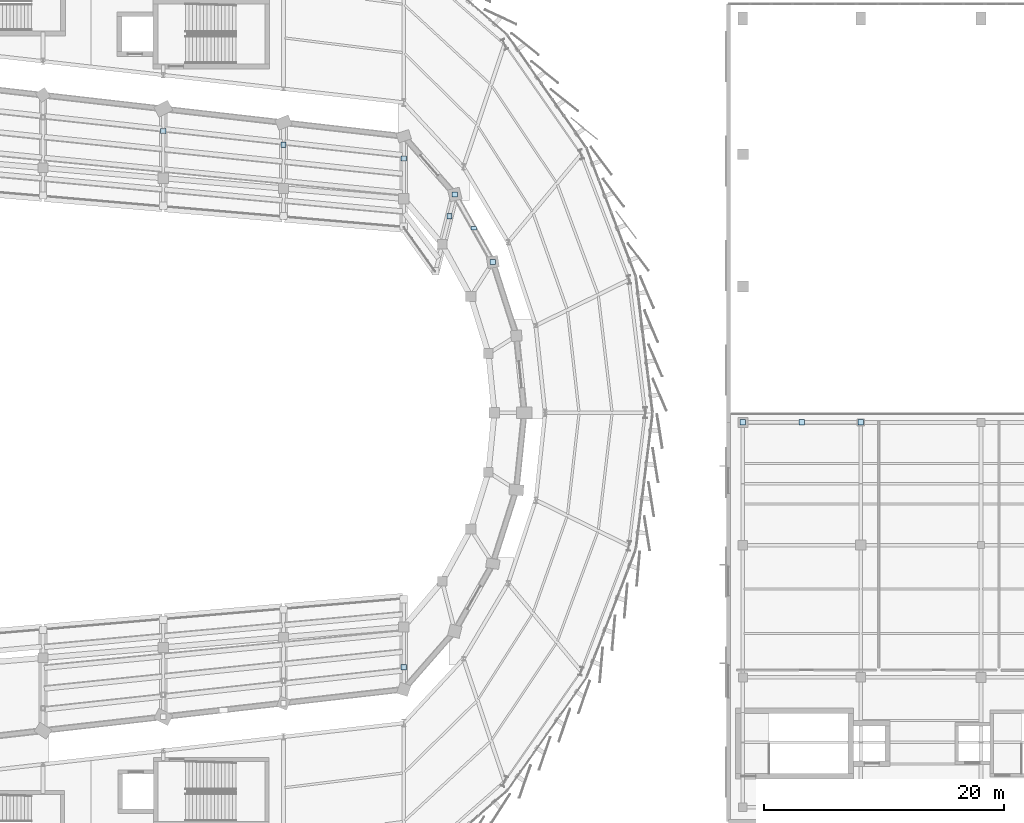
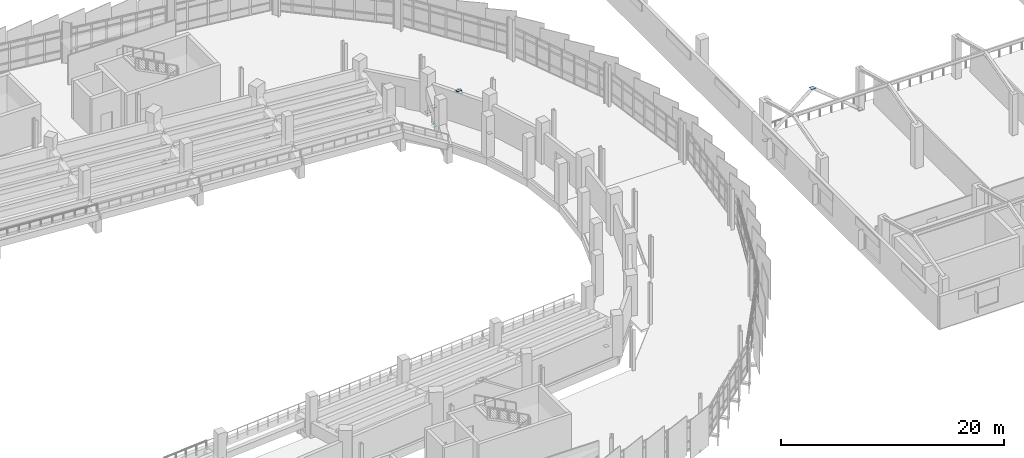
# One storey, part 96 of 120: 16 plates.
"""IFC4 building model written with IfcOpenShell, lengths in metres."""

from ifc_helpers import new_model, si_unit, direction, frame, origin, origin_2d, place, context, subcontext, project, spatial, rectangle, extrude, material, layer, layer_set, type_object, element, save


model = new_model("IFC4")

# Units and contexts
model_context = context("Model", 3, precision=1e-05, world=origin(), true_north=direction((0.0, 1.0)))
body_context = subcontext(model_context, "Body", "Model", "MODEL_VIEW")
ifc_project = project(units=[si_unit("LENGTHUNIT", "METRE"), si_unit("AREAUNIT", "SQUARE_METRE"), si_unit("VOLUMEUNIT", "CUBIC_METRE"), si_unit("PLANEANGLEUNIT", "RADIAN"), si_unit("MASSUNIT", "GRAM", prefix="KILO")], contexts=[model_context])

# Site, building, storey
site_placement = place(None, origin())
site = spatial("IfcSite", under=ifc_project, at=site_placement, CompositionType="ELEMENT")
building_placement = place(site_placement, origin())
building = spatial("IfcBuilding", under=site, at=building_placement, Name="Sohan Crest Arena", CompositionType="ELEMENT")
storey_placement = place(building_placement, frame((0.0, 0.0, 13.5)))
storey = spatial("IfcBuildingStorey", under=building, at=storey_placement, Name="L03", CompositionType="ELEMENT", Elevation=13.5)

# Plates
ifc_material = material(Name="Steel S355", Category="steel")
ifc_layer_1 = layer(ifc_material, 0.031982421875, Name="Steel S355")
ifc_layer_set_1 = layer_set([ifc_layer_1], Name="Steel S355")
plate_type_1 = type_object("IfcPlateType", Name="STR-PL-BP01", PredefinedType="USERDEFINED", material=ifc_layer_set_1)
for number, where, z_axis, x_axis, name in (
    (1, (168.0, 56.85009765625, -0.2724609375), (0.0, 0.0, 1.0), (1.0, 0.0, 0.0), "Hollow section end cap plate ECP-0151"),
    (2, (168.0, 56.85009765625, 1.862548828125), (0.0, 0.0, 1.0), (1.0, 0.0, 0.0), "Hollow section end cap plate ECP-0152"),
    (3, (171.803955078125, 94.35693359375, -0.2724609375), (0.0, 0.0, 1.0), (1.0, 0.0, 0.0), "Hollow section end cap plate ECP-0153"),
    (4, (171.803955078125, 94.35693359375, 1.8125), (0.0, 0.0, 1.0), (1.0, 0.0, 0.0), "Hollow section end cap plate ECP-0154"),
    (5, (168.0, 99.14990234375, -0.2724609375), (0.0, 0.0, 1.0), (1.0, 0.0, 0.0), "Hollow section end cap plate ECP-0155"),
    (6, (168.0, 99.14990234375, 1.887451171875), (0.0, 0.0, 1.0), (1.0, 0.0, 0.0), "Hollow section end cap plate ECP-0156"),
    (7, (158.0, 100.29296875, -0.2724609375), (0.0, 0.0, 1.0), (1.0, 0.0, 0.0), "Hollow section end cap plate ECP-0157"),
    (8, (158.0, 100.29296875, 1.862548828125), (0.0, 0.0, 1.0), (1.0, 0.0, 0.0), "Hollow section end cap plate ECP-0158"),
    (9, (148.0, 101.43603515625, -0.2724609375), (0.0, 0.0, 1.0), (1.0, 0.0, 0.0), "Hollow section end cap plate ECP-0159"),
    (10, (148.0, 101.43603515625, 1.8125), (0.0, 0.0, 1.0), (1.0, 0.0, 0.0), "Hollow section end cap plate ECP-0160"),
    (11, (175.408935546875, 90.544921875, -0.012451171875), (0.0, 0.0, 1.0), (1.0, 0.0, 0.0), "Hollow section end cap plate ECP-0529"),
    (12, (172.242919921875, 96.154052734375, -0.012451171875), (0.0, 0.0, 1.0), (1.0, 0.0, 0.0), "Hollow section end cap plate ECP-0530"),
    (13, (196.199951171875, 77.199951171875, -0.012451171875), (0.0, 0.0, 1.0), (1.0, 0.0, 0.0), "Hollow section end cap plate ECP-0549"),
    (14, (201.10009765625, 77.199951171875, 4.007568359375), (0.0, 0.0, 1.0), (1.0, 0.0, 0.0), "Hollow section end cap plate ECP-0550"),
    (15, (206.0, 77.199951171875, -0.012451171875), (0.0, 0.0, 1.0), (1.0, 0.0, 0.0), "Hollow section end cap plate ECP-0551"),
):
    element("IfcPlate", number, at=place(storey_placement, frame(where, z_axis=z_axis, x_axis=x_axis)), inside=storey, type_object=plate_type_1, Name=name, ObjectType="BASE PLATE", PredefinedType="USERDEFINED", context=body_context, shape_type="SweptSolid", body=[
        extrude(rectangle(XDim=0.449951171875, YDim=0.449951171875, at=origin_2d()), origin(), (0.0, 0.0, 1.0), 0.02490234375),
    ])
ifc_layer_2 = layer(ifc_material, 0.01806640625, Name="Steel S355")
ifc_layer_set_2 = layer_set([ifc_layer_2], Name="Steel S355")
plate_type_2 = type_object("IfcPlateType", Name="STR-PL-SP03", PredefinedType="SHEET", material=ifc_layer_set_2)
plate_placement = place(storey_placement, frame((173.825927734375, 93.35009765625, 3.490966796875), z_axis=(0.0, 0.0, 1.0), x_axis=(1.0, 0.0, 0.0)))
element("IfcPlate", 16, at=plate_placement, inside=storey, type_object=plate_type_2, Name="Brace connection sheet plate SP-BR032", PredefinedType="SHEET", context=body_context, shape_type="SweptSolid", body=[
    extrude(rectangle(XDim=0.47998046875, YDim=0.300048828125, at=origin_2d()), origin(), (0.0, 0.0, 1.0), 0.01806640625),
])

save(model, "model.ifc")
